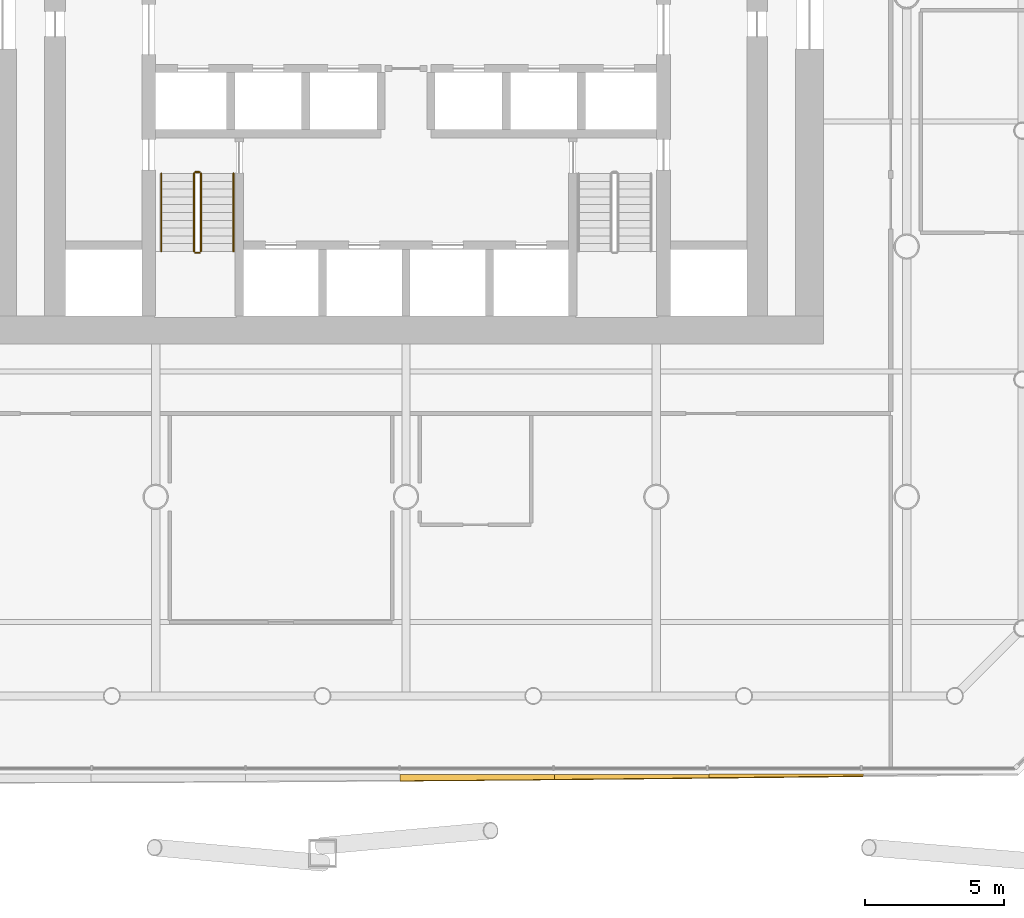
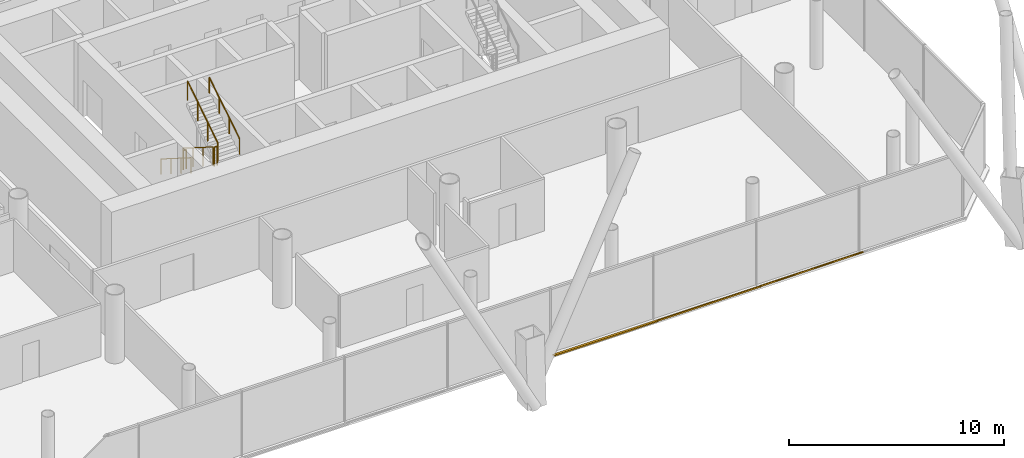
# One storey, part 22 of 25: 6 railings, 3 shading devices.
"""IFC4 building model written with IfcOpenShell, lengths in metres."""

import ifcopenshell
import ifcopenshell.guid

model = None  # the IFC model being written
_history = None  # IfcOwnerHistory: only IFC2X3 demands one
_inside = {}  # id of a spatial element -> (the spatial element, [elements in it])
_under = {}  # id of a project, library or spatial element -> (it, [spatial elements below it])
_declared = {}  # id of a project -> (the project, [libraries it declares])
_typed = {}  # id of a type object -> (the type object, [elements of that type])
_made_of = {}  # id of a material, layer set ... -> (it, [elements and type objects made of it])


def new_model(schema):
    """Start an empty IFC model of exactly this schema.

    Asked for "IFC4X3", IfcOpenShell would pick the latest addendum, in which some entities
    have other attributes; the version numbers below select the first issue.
    IFC2X3 requires an IfcOwnerHistory on every rooted entity: one is made here for all.
    """
    global model, _history
    if schema == "IFC4X3":
        model = ifcopenshell.file(schema_version=(4, 3, 0, 0))
    else:
        model = ifcopenshell.file(schema=schema)
    _inside.clear()
    _under.clear()
    _declared.clear()
    _typed.clear()
    _made_of.clear()
    _history = None
    if model.schema == "IFC2X3":
        org = make("IfcOrganization", Name="unknown")
        user = make(
            "IfcPersonAndOrganization",
            ThePerson=make("IfcPerson", FamilyName="unknown"),
            TheOrganization=org,
        )
        app = make(
            "IfcApplication",
            ApplicationDeveloper=org,
            Version="unknown",
            ApplicationFullName="unknown",
            ApplicationIdentifier="unknown",
        )
        _history = make(
            "IfcOwnerHistory",
            OwningUser=user,
            OwningApplication=app,
            ChangeAction="ADDED",
            CreationDate=0,
        )
    return model


def make(cls, **values):
    """One entity of the class cls with the attributes given. An attribute that is None is left unset."""
    return model.create_entity(
        cls, **{name: value for name, value in values.items() if value is not None}
    )


def rooted(cls, **values):
    """An entity with a GlobalId (a new one), such as an element, a storey or a relation."""
    return make(cls, GlobalId=ifcopenshell.guid.new(), OwnerHistory=_history, **values)


def si_unit(unit_type, name, prefix=None):
    """IfcSIUnit, for example si_unit("LENGTHUNIT", "METRE", prefix="MILLI")."""
    return make("IfcSIUnit", UnitType=unit_type, Prefix=prefix, Name=name)


def assignment(units):
    """IfcUnitAssignment: the units of a project."""
    return None if units is None else make("IfcUnitAssignment", Units=units)


def point(xyz):
    """IfcCartesianPoint."""
    return None if xyz is None else make("IfcCartesianPoint", Coordinates=xyz)


def direction(xyz):
    """IfcDirection."""
    return None if xyz is None else make("IfcDirection", DirectionRatios=xyz)


def frame(location, z_axis=None, x_axis=None):
    """IfcAxis2Placement3D, a coordinate frame: its origin and axes. An axis left out is left unset."""
    return make(
        "IfcAxis2Placement3D",
        Location=point(location),
        Axis=direction(z_axis),
        RefDirection=direction(x_axis),
    )


def frame_2d(location, x_axis=None):
    """IfcAxis2Placement2D, a coordinate frame in the plane: its origin and x axis."""
    return make(
        "IfcAxis2Placement2D", Location=point(location), RefDirection=direction(x_axis)
    )


def origin():
    """The frame at (0, 0, 0) with its axes left unset."""
    return frame((0.0, 0.0, 0.0))


def origin_2d():
    """The frame at (0, 0) in the plane with its x axis left unset."""
    return frame_2d((0.0, 0.0))


def place(relative_to, where):
    """IfcLocalPlacement: puts the frame where relative to a parent placement (None: the world)."""
    return make(
        "IfcLocalPlacement", PlacementRelTo=relative_to, RelativePlacement=where
    )


def context(
    kind, dimensions, precision=None, world=None, true_north=None, identifier=None
):
    """IfcGeometricRepresentationContext, for example the 3D "Model" context."""
    return make(
        "IfcGeometricRepresentationContext",
        ContextIdentifier=identifier,
        ContextType=kind,
        CoordinateSpaceDimension=dimensions,
        Precision=precision,
        WorldCoordinateSystem=world,
        TrueNorth=true_north,
    )


def subcontext(parent, identifier, kind, view, scale=None):
    """IfcGeometricRepresentationSubContext, for example "Body" below "Model"."""
    return make(
        "IfcGeometricRepresentationSubContext",
        ContextIdentifier=identifier,
        ContextType=kind,
        ParentContext=parent,
        TargetScale=scale,
        TargetView=view,
    )


def project(units=None, contexts=None):
    """IfcProject with its units and contexts."""
    return rooted(
        "IfcProject",
        Name="project",
        RepresentationContexts=contexts,
        UnitsInContext=assignment(units),
    )


def spatial(cls, under=None, at=None, **own):
    """A site, building, storey or space (cls), placed at a placement, below another one or the project."""
    s = rooted(cls, ObjectPlacement=at, **own)
    if under is not None:
        _under.setdefault(under.id(), (under, []))[1].append(s)
    return s


def polyline(points):
    """IfcPolyline through the points."""
    return make("IfcPolyline", Points=[point(p) for p in points])


def profile(cls, at=None, kind="AREA", **sizes):
    """A parametric profile (cls). Its sizes go by their IFC names, for example OverallWidth=200.0."""
    return make(cls, ProfileType=kind, Position=at, **sizes)


def circle(**sizes):
    """IfcCircleProfileDef."""
    return profile("IfcCircleProfileDef", **sizes)


def outline(outer, holes=None, kind="AREA"):
    """IfcArbitraryClosedProfileDef: a profile drawn as a closed curve; with holes, ...WithVoids."""
    if holes is None:
        return make("IfcArbitraryClosedProfileDef", ProfileType=kind, OuterCurve=outer)
    return make(
        "IfcArbitraryProfileDefWithVoids",
        ProfileType=kind,
        OuterCurve=outer,
        InnerCurves=holes,
    )


def extrude(swept, where, along, depth):
    """IfcExtrudedAreaSolid: the profile swept, set in the frame where, extruded along a direction by depth."""
    return make(
        "IfcExtrudedAreaSolid",
        SweptArea=swept,
        Position=where,
        ExtrudedDirection=direction(along),
        Depth=depth,
    )


def shape(context_of_items, identifier, shape_type, items):
    """IfcShapeRepresentation: the items that make up one representation, for example the "Body"."""
    return make(
        "IfcShapeRepresentation",
        ContextOfItems=context_of_items,
        RepresentationIdentifier=identifier,
        RepresentationType=shape_type,
        Items=items,
    )


def material(Name=None, Category=None):
    """IfcMaterial."""
    return make("IfcMaterial", Name=Name, Category=Category)


def layer(
    of_material, thickness, ventilated=None, Name=None, Category=None, Priority=None
):
    """IfcMaterialLayer: one layer of a wall or slab, of a material (None: an air gap)."""
    return make(
        "IfcMaterialLayer",
        Material=of_material,
        LayerThickness=thickness,
        IsVentilated=ventilated,
        Name=Name,
        Category=Category,
        Priority=Priority,
    )


def layer_set(layers, Name=None):
    """IfcMaterialLayerSet."""
    return make("IfcMaterialLayerSet", MaterialLayers=layers, LayerSetName=Name)


def made_of(thing, what):
    """Note that an element or type object is made of a material, layer set ...; save() writes the relation."""
    if what is not None:
        _made_of.setdefault(what.id(), (what, []))[1].append(thing)
    return thing


def type_object(cls, material=None, **own):
    """A type object (cls), such as IfcWallType, which elements share."""
    return made_of(rooted(cls, **own), material)


def element(
    cls,
    number,
    at=None,
    inside=None,
    cuts=None,
    type_object=None,
    material=None,
    context=None,
    identifier="Body",
    shape_type=None,
    held_by="IfcProductDefinitionShape",
    body=None,
    shapes=None,
    **own,
):
    """One element of the class cls, such as IfcWall. Its Tag is "e" and its number.

    at: its placement. inside: the storey or other place that contains it. cuts: it is an
    opening in that element (IfcRelVoidsElement). A single representation is given by context,
    identifier, shape_type and body (its items); several are given by shapes. held_by: the class
    of the entity that holds the representations. save() writes the other relations.
    """
    e = rooted(cls, Tag="e%d" % number, ObjectPlacement=at, **own)
    if body is not None:
        shapes = [shape(context, identifier, shape_type, body)]
    if shapes is not None:
        e.Representation = make(held_by, Representations=shapes)
    if inside is not None:
        _inside.setdefault(inside.id(), (inside, []))[1].append(e)
    if cuts is not None:
        rooted(
            "IfcRelVoidsElement", RelatingBuildingElement=cuts, RelatedOpeningElement=e
        )
    if type_object is not None:
        _typed.setdefault(type_object.id(), (type_object, []))[1].append(e)
    return made_of(e, material)


def aggregate(whole, parts):
    """IfcRelAggregates: a whole, such as a stair, and the parts it consists of."""
    return rooted("IfcRelAggregates", RelatingObject=whole, RelatedObjects=parts)


def save(model, path):
    """Write the relations noted so far, then the file.

    IfcRelAggregates (storeys below a building ...), IfcRelContainedInSpatialStructure (elements
    in a storey), IfcRelDefinesByType, IfcRelAssociatesMaterial and IfcRelDeclares: one each for
    every whole, place, type object, material and project.
    """
    for whole, parts in _under.values():
        aggregate(whole, parts)
    for where, things in _inside.values():
        rooted(
            "IfcRelContainedInSpatialStructure",
            RelatedElements=things,
            RelatingStructure=where,
        )
    for kind, things in _typed.values():
        rooted("IfcRelDefinesByType", RelatedObjects=things, RelatingType=kind)
    for what, things in _made_of.values():
        rooted("IfcRelAssociatesMaterial", RelatedObjects=things, RelatingMaterial=what)
    for by, libraries in _declared.values():
        rooted("IfcRelDeclares", RelatingContext=by, RelatedDefinitions=libraries)
    model.write(path)


model = new_model("IFC4")

# Units and contexts
model_context = context("Model", 3, precision=1e-05, world=origin(), true_north=direction((0.0, 1.0)))
body_context = subcontext(model_context, "Body", "Model", "MODEL_VIEW")
ifc_project = project(units=[si_unit("LENGTHUNIT", "METRE"), si_unit("AREAUNIT", "SQUARE_METRE"), si_unit("VOLUMEUNIT", "CUBIC_METRE"), si_unit("PLANEANGLEUNIT", "RADIAN"), si_unit("MASSUNIT", "GRAM", prefix="KILO")], contexts=[model_context])

# Site, building, storey
site_placement = place(None, origin())
site = spatial("IfcSite", under=ifc_project, at=site_placement, CompositionType="ELEMENT")
building_placement = place(site_placement, origin())
building = spatial("IfcBuilding", under=site, at=building_placement, Name="Tskaro Facet Tower", CompositionType="ELEMENT")
storey_placement = place(building_placement, frame((0.0, 0.0, 10.800048828125)))
storey = spatial("IfcBuildingStorey", under=building, at=storey_placement, Name="L01", CompositionType="ELEMENT", Elevation=10.800048828125)

# Shading devices
ifc_material_1 = material(Name="Bronze anodised aluminium 6063-T6", Category="aluminium")
ifc_layer = layer(ifc_material_1, 0.06005859375, Name="Bronze anodised aluminium 6063-T6")
ifc_layer_set = layer_set([ifc_layer], Name="Bronze anodised aluminium 6063-T6")
shading_device_type = type_object("IfcShadingDeviceType", Name="Bronze sun blade (FN1)", PredefinedType="USERDEFINED", material=ifc_layer_set)
shading_device_1_placement = place(storey_placement, frame((-0.22216796875, -27.9794921875, 0.056396484375), z_axis=(-4.578399e-06, 0.341776437045, 0.939781286821), x_axis=(0.99999999999, 1.564789e-06, 4.302694e-06)))
element("IfcShadingDevice", 1, at=shading_device_1_placement, inside=storey, type_object=shading_device_type, Name="Fin blade south 6", ObjectType="FIN", PredefinedType="USERDEFINED", context=body_context, shape_type="SweptSolid", body=[
    extrude(outline(polyline([(0.0, 0.0), (5.555419921816775, 0.0), (5.55541992178518, -0.19431630698902821), (4.861083984864339, -0.2011161306775294), (4.166503906268038, -0.20783251285307922), (3.4721679686787628, -0.21431945623789878), (2.777832031089487, -0.2208063996227183), (2.0832519532572435, -0.22706390421680753), (1.3889160153815627, -0.23300852850721515), (0.6943359372629132, -0.23872371400689243), (-2.3073876874060643e-10, -0.24443889950656975), (0.0, 0.0)])), origin(), (0.0, 0.0, -1.0), 0.06005859375),
])
shading_device_2_placement = place(storey_placement, frame((5.333251953125, -27.974609375, 0.054443359375), z_axis=(-1.180163e-05, 0.422071209768, 0.906562680539), x_axis=(0.99999999993, 4.981128e-06, 1.0698917e-05)))
element("IfcShadingDevice", 2, at=shading_device_2_placement, inside=storey, type_object=shading_device_type, Name="Fin blade south 7", ObjectType="FIN", PredefinedType="USERDEFINED", context=body_context, shape_type="SweptSolid", body=[
    extrude(outline(polyline([(0.0, 0.0), (5.555664062113108, 0.0), (5.555664063073174, -0.13980646093832347), (4.86108398386614, -0.1481102793064445), (4.166748047716282, -0.15597144011567773), (3.4724121077382866, -0.16395088497540053), (2.7778320309634443, -0.17181204578463377), (2.083496093417641, -0.1793488330854688), (1.3889160152468536, -0.18688562038630385), (0.6945800789171458, -0.194201078907695), (-6.495854519872884e-10, -0.2014134927001318), (0.0, 0.0)])), origin(), (0.0, 0.0, -1.0), 0.06005859375),
])
shading_device_3_placement = place(storey_placement, frame((10.888916015625, -27.969970703125, 0.052001953125), z_axis=(1.15874e-06, 0.499330094794, 0.866411828423), x_axis=(0.999999999999, -5.78594e-07, -1.003946e-06)))
element("IfcShadingDevice", 3, at=shading_device_3_placement, inside=storey, type_object=shading_device_type, Name="Fin blade south 8", ObjectType="FIN", PredefinedType="USERDEFINED", context=body_context, shape_type="SweptSolid", body=[
    extrude(outline(polyline([(0.0, 0.0), (5.5554199218712705, -5.882029637076295e-22), (5.555419921945048, -0.07491773702740856), (4.861083984450061, -0.08421433422933187), (4.166748046813814, -0.09329940510595638), (3.4721679687976716, -0.10226256922115655), (2.777832031161425, -0.11134764009778106), (2.0832519531452824, -0.12031080421298124), (1.3889160156128821, -0.12906244200288258), (0.6943359374554816, -0.13781407979278393), (2.692669432342901e-11, -0.14623228449596215), (0.0, 0.0)])), origin(), (0.0, 0.0, -1.0), 0.06005859375),
])

# Railings
ifc_material_2 = material(Name="Stainless steel", Category="steel")
railing_type_1 = type_object("IfcRailingType", Name="RL-GUARD-1100", PredefinedType="GUARDRAIL", material=ifc_material_2)
railing_1_placement = place(storey_placement, frame((-7.625, -6.375, 0.17724609375)))
element("IfcRailing", 4, at=railing_1_placement, inside=storey, type_object=railing_type_1, Name="L01 ST-1 stair guard 1", PredefinedType="GUARDRAIL", context=body_context, shape_type="SweptSolid", body=[
    extrude(circle(Radius=0.02392578125, at=origin_2d()), frame((0.0, 0.0, 1.076171875), z_axis=(0.0, -0.844908973607, 0.534910110503), x_axis=(1.0, 0.0, 0.0)), (0.0, 0.0, 1.0), 3.31396484375),
    extrude(circle(Radius=0.02099609375, at=origin_2d()), origin(), (0.0, 0.0, 1.0), 1.052001953125),
    extrude(circle(Radius=0.02099609375, at=origin_2d()), frame((0.0, -0.933349609375, 0.5908203125)), (0.0, 0.0, 1.0), 1.052001953125),
    extrude(circle(Radius=0.02099609375, at=origin_2d()), frame((0.0, -1.86669921875, 1.181884765625)), (0.0, 0.0, 1.0), 1.052001953125),
    extrude(circle(Radius=0.02099609375, at=origin_2d()), frame((0.0, -2.800048828125, 1.772705078125)), (0.0, 0.0, 1.0), 1.052001953125),
])
railing_2_placement = place(storey_placement, frame((-7.574951171875, -9.22509765625, 1.949951171875)))
element("IfcRailing", 5, at=railing_2_placement, inside=storey, type_object=railing_type_1, Name="L01 ST-1 stair guard 2", PredefinedType="GUARDRAIL", context=body_context, shape_type="SweptSolid", body=[
    extrude(circle(Radius=0.02392578125, at=origin_2d()), frame((0.0, 0.0, 1.076171875), z_axis=(1.0, 0.0, 0.0), x_axis=(0.0, 1.0, 0.0)), (0.0, 0.0, 1.0), 0.14990234375),
    extrude(circle(Radius=0.02099609375, at=origin_2d()), origin(), (0.0, 0.0, 1.0), 1.052001953125),
    extrude(circle(Radius=0.02099609375, at=origin_2d()), frame((0.14990234375, 0.0, 0.0)), (0.0, 0.0, 1.0), 1.052001953125),
])
railing_3_placement = place(storey_placement, frame((-7.375, -9.175048828125, 2.127197265625)))
element("IfcRailing", 6, at=railing_3_placement, inside=storey, type_object=railing_type_1, Name="L01 ST-1 stair guard 3", PredefinedType="GUARDRAIL", context=body_context, shape_type="SweptSolid", body=[
    extrude(circle(Radius=0.02392578125, at=origin_2d()), frame((0.0, 0.0, 1.076171875), z_axis=(0.0, 0.844908973607, 0.534910110503), x_axis=(-1.0, 0.0, 0.0)), (0.0, 0.0, 1.0), 3.31396484375),
    extrude(circle(Radius=0.02099609375, at=origin_2d()), origin(), (0.0, 0.0, 1.0), 1.052001953125),
    extrude(circle(Radius=0.02099609375, at=origin_2d()), frame((0.0, 0.933349609375, 0.5908203125)), (0.0, 0.0, 1.0), 1.052001953125),
    extrude(circle(Radius=0.02099609375, at=origin_2d()), frame((0.0, 1.86669921875, 1.181884765625)), (0.0, 0.0, 1.0), 1.052001953125),
    extrude(circle(Radius=0.02099609375, at=origin_2d()), frame((0.0, 2.800048828125, 1.772705078125)), (0.0, 0.0, 1.0), 1.052001953125),
])
railing_4_placement = place(storey_placement, frame((-7.574951171875, -6.324951171875, 0.0)))
element("IfcRailing", 7, at=railing_4_placement, inside=storey, type_object=railing_type_1, Name="L01 ST-1 stair guard 4", PredefinedType="GUARDRAIL", context=body_context, shape_type="SweptSolid", body=[
    extrude(circle(Radius=0.02392578125, at=origin_2d()), frame((0.0, 0.0, 1.076171875), z_axis=(1.0, 0.0, 0.0), x_axis=(0.0, 1.0, 0.0)), (0.0, 0.0, 1.0), 0.14990234375),
    extrude(circle(Radius=0.02099609375, at=origin_2d()), origin(), (0.0, 0.0, 1.0), 1.052001953125),
    extrude(circle(Radius=0.02099609375, at=origin_2d()), frame((0.14990234375, 0.0, 0.0)), (0.0, 0.0, 1.0), 1.052001953125),
])
railing_type_2 = type_object("IfcRailingType", Name="RL-HANDRAIL-900", PredefinedType="HANDRAIL", material=ifc_material_2)
railing_5_placement = place(storey_placement, frame((-8.800048828125, -6.375, 0.17724609375)))
element("IfcRailing", 8, at=railing_5_placement, inside=storey, type_object=railing_type_2, Name="L01 ST-1 stair handrail 1", PredefinedType="HANDRAIL", context=body_context, shape_type="SweptSolid", body=[
    extrude(circle(Radius=0.02392578125, at=origin_2d()), frame((0.0, 0.0, 0.8759765625), z_axis=(0.0, -0.844908973607, 0.534910110503), x_axis=(1.0, 0.0, 0.0)), (0.0, 0.0, 1.0), 3.31396484375),
    extrude(circle(Radius=0.02099609375, at=origin_2d()), origin(), (0.0, 0.0, 1.0), 0.851806640625),
    extrude(circle(Radius=0.02099609375, at=origin_2d()), frame((0.0, -0.933349609375, 0.5908203125)), (0.0, 0.0, 1.0), 0.851806640625),
    extrude(circle(Radius=0.02099609375, at=origin_2d()), frame((0.0, -1.86669921875, 1.181884765625)), (0.0, 0.0, 1.0), 0.851806640625),
    extrude(circle(Radius=0.02099609375, at=origin_2d()), frame((0.0, -2.800048828125, 1.772705078125)), (0.0, 0.0, 1.0), 0.851806640625),
])
railing_6_placement = place(storey_placement, frame((-6.199951171875, -9.175048828125, 2.127197265625)))
element("IfcRailing", 9, at=railing_6_placement, inside=storey, type_object=railing_type_2, Name="L01 ST-1 stair handrail 2", PredefinedType="HANDRAIL", context=body_context, shape_type="SweptSolid", body=[
    extrude(circle(Radius=0.02392578125, at=origin_2d()), frame((0.0, 0.0, 0.8759765625), z_axis=(0.0, 0.844908973607, 0.534910110503), x_axis=(-1.0, 0.0, 0.0)), (0.0, 0.0, 1.0), 3.31396484375),
    extrude(circle(Radius=0.02099609375, at=origin_2d()), origin(), (0.0, 0.0, 1.0), 0.851806640625),
    extrude(circle(Radius=0.02099609375, at=origin_2d()), frame((0.0, 0.933349609375, 0.5908203125)), (0.0, 0.0, 1.0), 0.851806640625),
    extrude(circle(Radius=0.02099609375, at=origin_2d()), frame((0.0, 1.86669921875, 1.181884765625)), (0.0, 0.0, 1.0), 0.851806640625),
    extrude(circle(Radius=0.02099609375, at=origin_2d()), frame((0.0, 2.800048828125, 1.772705078125)), (0.0, 0.0, 1.0), 0.851806640625),
])

save(model, "model.ifc")
